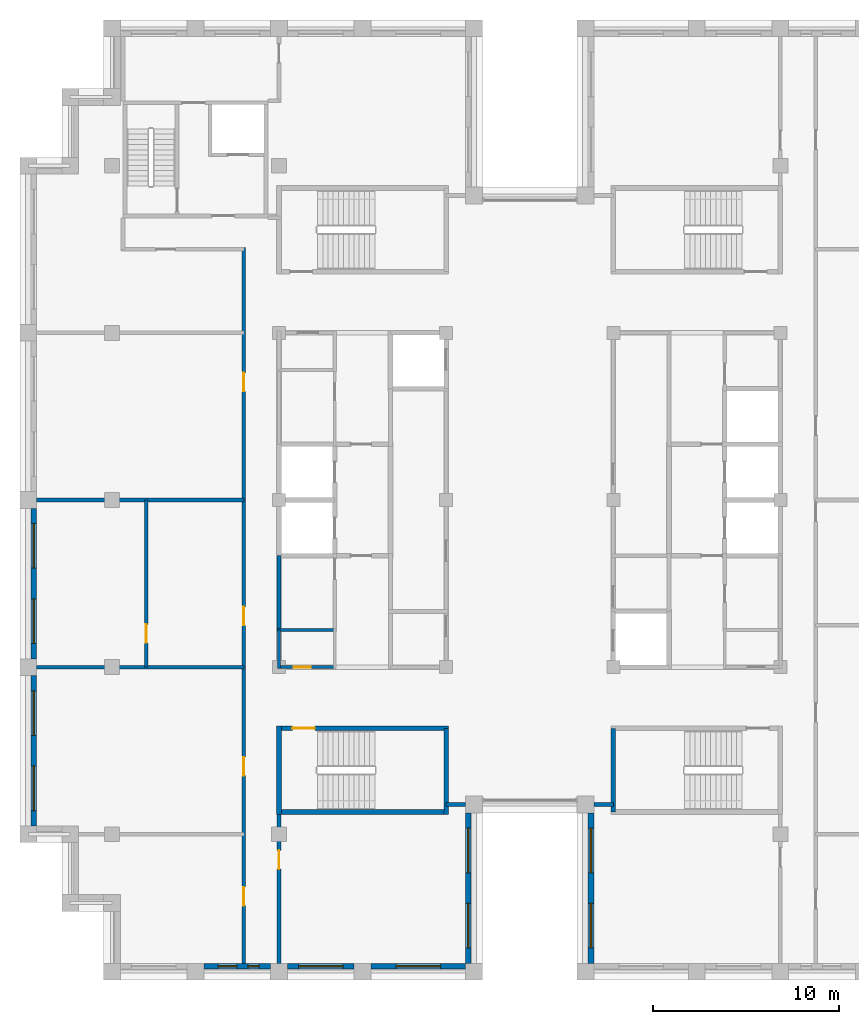
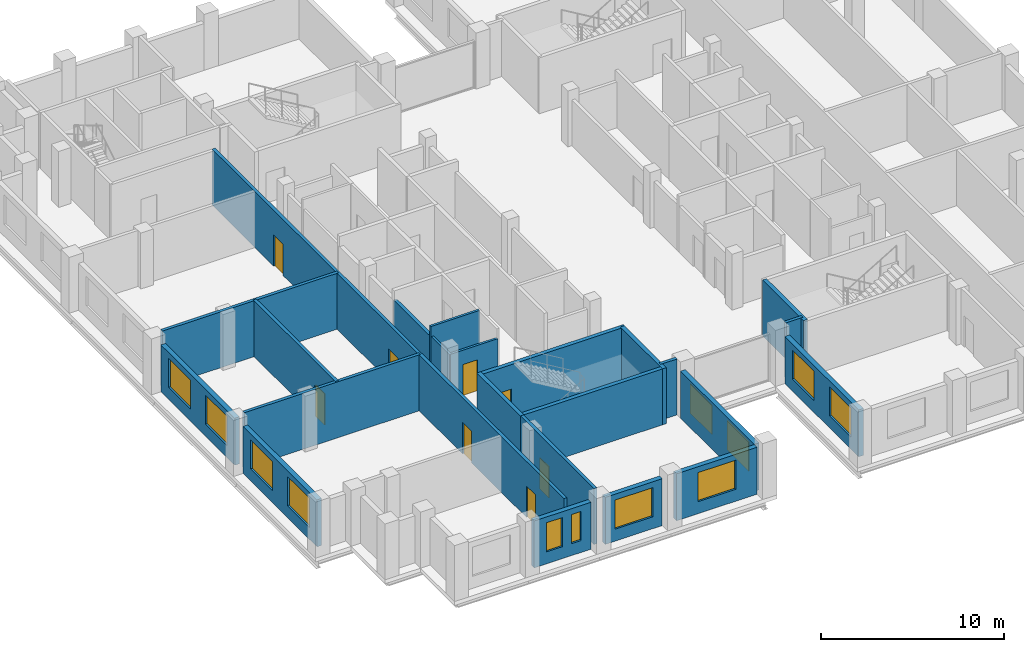
# One storey, part 6 of 13: 23 walls, 12 windows, 8 doors, 20 openings.
"""IFC4 building model written with IfcOpenShell, lengths in metres."""

from ifc_helpers import new_model, si_unit, direction, frame, frame_2d, origin, place, context, subcontext, project, spatial, rectangle, extrude, material, layer, layer_set, type_object, element, fill, save


model = new_model("IFC4")

# Units and contexts
model_context = context("Model", 3, precision=1e-05, world=origin(), true_north=direction((0.0, 1.0)))
body_context = subcontext(model_context, "Body", "Model", "MODEL_VIEW")
ifc_project = project(units=[si_unit("LENGTHUNIT", "METRE"), si_unit("AREAUNIT", "SQUARE_METRE"), si_unit("VOLUMEUNIT", "CUBIC_METRE"), si_unit("PLANEANGLEUNIT", "RADIAN"), si_unit("MASSUNIT", "GRAM", prefix="KILO")], contexts=[model_context])

# Site, building, storey
site_placement = place(None, origin())
site = spatial("IfcSite", under=ifc_project, at=site_placement, CompositionType="ELEMENT")
building_placement = place(site_placement, origin())
building = spatial("IfcBuilding", under=site, at=building_placement, Name="Corbelhall Arena Tower", CompositionType="ELEMENT")
storey_placement = place(building_placement, frame((0.0, 0.0, 334.0)))
storey = spatial("IfcBuildingStorey", under=building, at=storey_placement, Name="L73", CompositionType="ELEMENT", Elevation=334.0)

# Wall, openings, windows
ifc_material_1 = material(Name="Precast concrete C40/50 with granite facing", Category="masonry")
ifc_layer_1 = layer(ifc_material_1, 0.300048828125)
ifc_layer_set_1 = layer_set([ifc_layer_1], Name="EV-IW1 Infill panel 300")
wall_type_1 = type_object("IfcWallType", Name="EV-IW1 Infill panel 300", PredefinedType="SOLIDWALL", material=ifc_layer_set_1)
wall_1_placement = place(storey_placement, frame((-26.699951171875, -0.449951171875, 0.0), z_axis=(0.0, 0.0, 1.0), x_axis=(0.0, -1.0, 0.0)))
wall_1 = element("IfcWall", 1, at=wall_1_placement, inside=storey, type_object=wall_type_1, Name="Infill panel IW1", PredefinedType="SOLIDWALL", context=body_context, shape_type="SweptSolid", body=[
    extrude(rectangle(XDim=8.10009765625, YDim=0.300048828125, at=frame_2d((4.050048828125, 0.0))), origin(), (0.0, 0.0, 1.0), 3.139892578125),
])
opening_1_placement = place(wall_1_placement, frame((0.824951171875, 0.0, 0.800048828125)))
opening_1 = element("IfcOpeningElement", 2, at=opening_1_placement, cuts=wall_1, Name="Opening WN1", PredefinedType="OPENING", context=body_context, shape_type="SweptSolid", body=[
    extrude(rectangle(XDim=2.39990234375, YDim=1.949951171875, at=frame_2d((1.199951171875, 0.97509765625))), frame((0.0, 0.14990234375, 0.0), z_axis=(0.0, -1.0, 0.0), x_axis=(1.0, 0.0, 0.0)), (0.0, 0.0, 1.0), 0.300048828125),
])
opening_2_placement = place(wall_1_placement, frame((4.875, 0.0, 0.800048828125)))
opening_2 = element("IfcOpeningElement", 3, at=opening_2_placement, cuts=wall_1, Name="Opening WN1", PredefinedType="OPENING", context=body_context, shape_type="SweptSolid", body=[
    extrude(rectangle(XDim=2.39990234375, YDim=1.949951171875, at=frame_2d((1.199951171875, 0.97509765625))), frame((0.0, 0.14990234375, 0.0), z_axis=(0.0, -1.0, 0.0), x_axis=(1.0, 0.0, 0.0)), (0.0, 0.0, 1.0), 0.300048828125),
])
ifc_material_2 = material(Name="Aluminium black anodised", Category="aluminium")
window_type_1 = type_object("IfcWindowType", Name="EV-WN1 Office window", PartitioningType="SINGLE_PANEL", PredefinedType="WINDOW", material=ifc_material_2)
window_1_placement = place(opening_1_placement, origin())
window_1 = element("IfcWindow", 4, at=window_1_placement, inside=storey, type_object=window_type_1, Name="Window WN1", OverallHeight=1.949951171875, OverallWidth=2.39990234375, PartitioningType="SINGLE_PANEL", PredefinedType="WINDOW", context=body_context, shape_type="SweptSolid", body=[
    extrude(rectangle(XDim=2.39990234375, YDim=1.949951171875, at=frame_2d((1.199951171875, 0.97509765625))), frame((0.0, 0.030029296875, 0.0), z_axis=(0.0, -1.0, 0.0), x_axis=(1.0, 0.0, 0.0)), (0.0, 0.0, 1.0), 0.06005859375),
])
fill(opening_1, window_1)
window_2_placement = place(opening_2_placement, origin())
window_2 = element("IfcWindow", 5, at=window_2_placement, inside=storey, type_object=window_type_1, Name="Window WN1", OverallHeight=1.949951171875, OverallWidth=2.39990234375, PartitioningType="SINGLE_PANEL", PredefinedType="WINDOW", context=body_context, shape_type="SweptSolid", body=[
    extrude(rectangle(XDim=2.39990234375, YDim=1.949951171875, at=frame_2d((1.199951171875, 0.97509765625))), frame((0.0, 0.030029296875, 0.0), z_axis=(0.0, -1.0, 0.0), x_axis=(1.0, 0.0, 0.0)), (0.0, 0.0, 1.0), 0.06005859375),
])
fill(opening_2, window_2)

wall_2_placement = place(storey_placement, frame((-26.699951171875, -9.449951171875, 0.0), z_axis=(0.0, 0.0, 1.0), x_axis=(0.0, -1.0, 0.0)))
wall_2 = element("IfcWall", 6, at=wall_2_placement, inside=storey, type_object=wall_type_1, Name="Infill panel IW1", PredefinedType="SOLIDWALL", context=body_context, shape_type="SweptSolid", body=[
    extrude(rectangle(XDim=8.10009765625, YDim=0.300048828125, at=frame_2d((4.050048828125, 0.0))), origin(), (0.0, 0.0, 1.0), 3.139892578125),
])
opening_3_placement = place(wall_2_placement, frame((0.824951171875, 0.0, 0.800048828125)))
opening_3 = element("IfcOpeningElement", 7, at=opening_3_placement, cuts=wall_2, Name="Opening WN1", PredefinedType="OPENING", context=body_context, shape_type="SweptSolid", body=[
    extrude(rectangle(XDim=2.39990234375, YDim=1.949951171875, at=frame_2d((1.199951171875, 0.97509765625))), frame((0.0, 0.14990234375, 0.0), z_axis=(0.0, -1.0, 0.0), x_axis=(1.0, 0.0, 0.0)), (0.0, 0.0, 1.0), 0.300048828125),
])
opening_4_placement = place(wall_2_placement, frame((4.875, 0.0, 0.800048828125)))
opening_4 = element("IfcOpeningElement", 8, at=opening_4_placement, cuts=wall_2, Name="Opening WN1", PredefinedType="OPENING", context=body_context, shape_type="SweptSolid", body=[
    extrude(rectangle(XDim=2.39990234375, YDim=1.949951171875, at=frame_2d((1.199951171875, 0.97509765625))), frame((0.0, 0.14990234375, 0.0), z_axis=(0.0, -1.0, 0.0), x_axis=(1.0, 0.0, 0.0)), (0.0, 0.0, 1.0), 0.300048828125),
])
window_3_placement = place(opening_3_placement, origin())
window_3 = element("IfcWindow", 9, at=window_3_placement, inside=storey, type_object=window_type_1, Name="Window WN1", OverallHeight=1.949951171875, OverallWidth=2.39990234375, PartitioningType="SINGLE_PANEL", PredefinedType="WINDOW", context=body_context, shape_type="SweptSolid", body=[
    extrude(rectangle(XDim=2.39990234375, YDim=1.949951171875, at=frame_2d((1.199951171875, 0.97509765625))), frame((0.0, 0.030029296875, 0.0), z_axis=(0.0, -1.0, 0.0), x_axis=(1.0, 0.0, 0.0)), (0.0, 0.0, 1.0), 0.06005859375),
])
fill(opening_3, window_3)
window_4_placement = place(opening_4_placement, origin())
window_4 = element("IfcWindow", 10, at=window_4_placement, inside=storey, type_object=window_type_1, Name="Window WN1", OverallHeight=1.949951171875, OverallWidth=2.39990234375, PartitioningType="SINGLE_PANEL", PredefinedType="WINDOW", context=body_context, shape_type="SweptSolid", body=[
    extrude(rectangle(XDim=2.39990234375, YDim=1.949951171875, at=frame_2d((1.199951171875, 0.97509765625))), frame((0.0, 0.030029296875, 0.0), z_axis=(0.0, -1.0, 0.0), x_axis=(1.0, 0.0, 0.0)), (0.0, 0.0, 1.0), 0.06005859375),
])
fill(opening_4, window_4)

wall_3_placement = place(storey_placement, frame((-17.550048828125, -25.10009765625, 0.0), z_axis=(0.0, 0.0, 1.0), x_axis=(1.0, 0.0, 0.0)))
wall_3 = element("IfcWall", 11, at=wall_3_placement, inside=storey, type_object=wall_type_1, Name="Infill panel IW1", PredefinedType="SOLIDWALL", context=body_context, shape_type="SweptSolid", body=[
    extrude(rectangle(XDim=3.60009765625, YDim=0.300048828125, at=frame_2d((1.800048828125, 0.0))), origin(), (0.0, 0.0, 1.0), 3.139892578125),
])
opening_5_placement = place(wall_3_placement, frame((0.77490234375, 0.0, 0.800048828125)))
opening_5 = element("IfcOpeningElement", 12, at=opening_5_placement, cuts=wall_3, Name="Opening WN6", PredefinedType="OPENING", context=body_context, shape_type="SweptSolid", body=[
    extrude(rectangle(XDim=1.0, YDim=1.949951171875, at=frame_2d((0.5, 0.97509765625))), frame((0.0, 0.14990234375, 0.0), z_axis=(0.0, -1.0, 0.0), x_axis=(1.0, 0.0, 0.0)), (0.0, 0.0, 1.0), 0.300048828125),
])
opening_6_placement = place(wall_3_placement, frame((2.375, 0.0, 0.800048828125)))
opening_6 = element("IfcOpeningElement", 13, at=opening_6_placement, cuts=wall_3, Name="Opening WN5", PredefinedType="OPENING", context=body_context, shape_type="SweptSolid", body=[
    extrude(rectangle(XDim=0.60009765625, YDim=1.949951171875, at=frame_2d((0.300048828125, 0.97509765625))), frame((0.0, 0.14990234375, 0.0), z_axis=(0.0, -1.0, 0.0), x_axis=(1.0, 0.0, 0.0)), (0.0, 0.0, 1.0), 0.300048828125),
])
window_type_2 = type_object("IfcWindowType", Name="EV-WN5 Office window 600", PartitioningType="SINGLE_PANEL", PredefinedType="WINDOW", material=ifc_material_2)
window_5_placement = place(opening_6_placement, origin())
window_5 = element("IfcWindow", 14, at=window_5_placement, inside=storey, type_object=window_type_2, Name="Window WN5", OverallHeight=1.949951171875, OverallWidth=0.60009765625, PartitioningType="SINGLE_PANEL", PredefinedType="WINDOW", context=body_context, shape_type="SweptSolid", body=[
    extrude(rectangle(XDim=0.60009765625, YDim=1.949951171875, at=frame_2d((0.300048828125, 0.97509765625))), frame((0.0, 0.030029296875, 0.0), z_axis=(0.0, -1.0, 0.0), x_axis=(1.0, 0.0, 0.0)), (0.0, 0.0, 1.0), 0.06005859375),
])
fill(opening_6, window_5)
window_type_3 = type_object("IfcWindowType", Name="EV-WN6 Office window 1000", PartitioningType="SINGLE_PANEL", PredefinedType="WINDOW", material=ifc_material_2)
window_6_placement = place(opening_5_placement, origin())
window_6 = element("IfcWindow", 15, at=window_6_placement, inside=storey, type_object=window_type_3, Name="Window WN6", OverallHeight=1.949951171875, OverallWidth=1.0, PartitioningType="SINGLE_PANEL", PredefinedType="WINDOW", context=body_context, shape_type="SweptSolid", body=[
    extrude(rectangle(XDim=1.0, YDim=1.949951171875, at=frame_2d((0.5, 0.97509765625))), frame((0.0, 0.030029296875, 0.0), z_axis=(0.0, -1.0, 0.0), x_axis=(1.0, 0.0, 0.0)), (0.0, 0.0, 1.0), 0.06005859375),
])
fill(opening_5, window_6)

# Wall, opening, window
wall_4_placement = place(storey_placement, frame((-13.050048828125, -25.10009765625, 0.0), z_axis=(0.0, 0.0, 1.0), x_axis=(1.0, 0.0, 0.0)))
wall_4 = element("IfcWall", 16, at=wall_4_placement, inside=storey, type_object=wall_type_1, Name="Infill panel IW1", PredefinedType="SOLIDWALL", context=body_context, shape_type="SweptSolid", body=[
    extrude(rectangle(XDim=3.60009765625, YDim=0.300048828125, at=frame_2d((1.800048828125, 0.0))), origin(), (0.0, 0.0, 1.0), 3.139892578125),
])
opening_7_placement = place(wall_4_placement, frame((0.60009765625, 0.0, 0.800048828125)))
opening_7 = element("IfcOpeningElement", 17, at=opening_7_placement, cuts=wall_4, Name="Opening WN1", PredefinedType="OPENING", context=body_context, shape_type="SweptSolid", body=[
    extrude(rectangle(XDim=2.39990234375, YDim=1.949951171875, at=frame_2d((1.199951171875, 0.97509765625))), frame((0.0, 0.14990234375, 0.0), z_axis=(0.0, -1.0, 0.0), x_axis=(1.0, 0.0, 0.0)), (0.0, 0.0, 1.0), 0.300048828125),
])
window_7_placement = place(opening_7_placement, origin())
window_7 = element("IfcWindow", 18, at=window_7_placement, inside=storey, type_object=window_type_1, Name="Window WN1", OverallHeight=1.949951171875, OverallWidth=2.39990234375, PartitioningType="SINGLE_PANEL", PredefinedType="WINDOW", context=body_context, shape_type="SweptSolid", body=[
    extrude(rectangle(XDim=2.39990234375, YDim=1.949951171875, at=frame_2d((1.199951171875, 0.97509765625))), frame((0.0, 0.030029296875, 0.0), z_axis=(0.0, -1.0, 0.0), x_axis=(1.0, 0.0, 0.0)), (0.0, 0.0, 1.0), 0.06005859375),
])
fill(opening_7, window_7)

wall_5_placement = place(storey_placement, frame((-8.550048828125, -25.10009765625, 0.0), z_axis=(0.0, 0.0, 1.0), x_axis=(1.0, 0.0, 0.0)))
wall_5 = element("IfcWall", 19, at=wall_5_placement, inside=storey, type_object=wall_type_1, Name="Infill panel IW1", PredefinedType="SOLIDWALL", context=body_context, shape_type="SweptSolid", body=[
    extrude(rectangle(XDim=5.10009765625, YDim=0.300048828125, at=frame_2d((2.550048828125, 0.0))), origin(), (0.0, 0.0, 1.0), 3.139892578125),
])
opening_8_placement = place(wall_5_placement, frame((1.35009765625, 0.0, 0.800048828125)))
opening_8 = element("IfcOpeningElement", 20, at=opening_8_placement, cuts=wall_5, Name="Opening WN1", PredefinedType="OPENING", context=body_context, shape_type="SweptSolid", body=[
    extrude(rectangle(XDim=2.39990234375, YDim=1.949951171875, at=frame_2d((1.199951171875, 0.97509765625))), frame((0.0, 0.14990234375, 0.0), z_axis=(0.0, -1.0, 0.0), x_axis=(1.0, 0.0, 0.0)), (0.0, 0.0, 1.0), 0.300048828125),
])
window_8_placement = place(opening_8_placement, origin())
window_8 = element("IfcWindow", 21, at=window_8_placement, inside=storey, type_object=window_type_1, Name="Window WN1", OverallHeight=1.949951171875, OverallWidth=2.39990234375, PartitioningType="SINGLE_PANEL", PredefinedType="WINDOW", context=body_context, shape_type="SweptSolid", body=[
    extrude(rectangle(XDim=2.39990234375, YDim=1.949951171875, at=frame_2d((1.199951171875, 0.97509765625))), frame((0.0, 0.030029296875, 0.0), z_axis=(0.0, -1.0, 0.0), x_axis=(1.0, 0.0, 0.0)), (0.0, 0.0, 1.0), 0.06005859375),
])
fill(opening_8, window_8)

# Wall, openings, windows
wall_6_placement = place(storey_placement, frame((-3.300048828125, -24.949951171875, 0.0), z_axis=(0.0, 0.0, 1.0), x_axis=(0.0, 1.0, 0.0)))
wall_6 = element("IfcWall", 22, at=wall_6_placement, inside=storey, type_object=wall_type_1, Name="Infill panel IW1", PredefinedType="SOLIDWALL", context=body_context, shape_type="SweptSolid", body=[
    extrude(rectangle(XDim=8.099853515625, YDim=0.300048828125, at=frame_2d((4.0498046875, 0.0))), origin(), (0.0, 0.0, 1.0), 3.139892578125),
])
opening_9_placement = place(wall_6_placement, frame((0.824951171875, 0.0, 0.800048828125)))
opening_9 = element("IfcOpeningElement", 23, at=opening_9_placement, cuts=wall_6, Name="Opening WN1", PredefinedType="OPENING", context=body_context, shape_type="SweptSolid", body=[
    extrude(rectangle(XDim=2.39990234375, YDim=1.949951171875, at=frame_2d((1.199951171875, 0.97509765625))), frame((0.0, 0.14990234375, 0.0), z_axis=(0.0, -1.0, 0.0), x_axis=(1.0, 0.0, 0.0)), (0.0, 0.0, 1.0), 0.300048828125),
])
opening_10_placement = place(wall_6_placement, frame((4.875, 0.0, 0.800048828125)))
opening_10 = element("IfcOpeningElement", 24, at=opening_10_placement, cuts=wall_6, Name="Opening WN1", PredefinedType="OPENING", context=body_context, shape_type="SweptSolid", body=[
    extrude(rectangle(XDim=2.39990234375, YDim=1.949951171875, at=frame_2d((1.199951171875, 0.97509765625))), frame((0.0, 0.14990234375, 0.0), z_axis=(0.0, -1.0, 0.0), x_axis=(1.0, 0.0, 0.0)), (0.0, 0.0, 1.0), 0.300048828125),
])
window_9_placement = place(opening_9_placement, origin())
window_9 = element("IfcWindow", 25, at=window_9_placement, inside=storey, type_object=window_type_1, Name="Window WN1", OverallHeight=1.949951171875, OverallWidth=2.39990234375, PartitioningType="SINGLE_PANEL", PredefinedType="WINDOW", context=body_context, shape_type="SweptSolid", body=[
    extrude(rectangle(XDim=2.39990234375, YDim=1.949951171875, at=frame_2d((1.199951171875, 0.97509765625))), frame((0.0, 0.030029296875, 0.0), z_axis=(0.0, -1.0, 0.0), x_axis=(1.0, 0.0, 0.0)), (0.0, 0.0, 1.0), 0.06005859375),
])
fill(opening_9, window_9)
window_10_placement = place(opening_10_placement, origin())
window_10 = element("IfcWindow", 26, at=window_10_placement, inside=storey, type_object=window_type_1, Name="Window WN1", OverallHeight=1.949951171875, OverallWidth=2.39990234375, PartitioningType="SINGLE_PANEL", PredefinedType="WINDOW", context=body_context, shape_type="SweptSolid", body=[
    extrude(rectangle(XDim=2.39990234375, YDim=1.949951171875, at=frame_2d((1.199951171875, 0.97509765625))), frame((0.0, 0.030029296875, 0.0), z_axis=(0.0, -1.0, 0.0), x_axis=(1.0, 0.0, 0.0)), (0.0, 0.0, 1.0), 0.06005859375),
])
fill(opening_10, window_10)

wall_7_placement = place(storey_placement, frame((3.300048828125, -16.85009765625, 0.0), z_axis=(0.0, 0.0, 1.0), x_axis=(0.0, -1.0, 0.0)))
wall_7 = element("IfcWall", 27, at=wall_7_placement, inside=storey, type_object=wall_type_1, Name="Infill panel IW1", PredefinedType="SOLIDWALL", context=body_context, shape_type="SweptSolid", body=[
    extrude(rectangle(XDim=8.099853515625, YDim=0.300048828125, at=frame_2d((4.0498046875, 0.0))), origin(), (0.0, 0.0, 1.0), 3.139892578125),
])
opening_11_placement = place(wall_7_placement, frame((0.824951171875, 0.0, 0.800048828125)))
opening_11 = element("IfcOpeningElement", 28, at=opening_11_placement, cuts=wall_7, Name="Opening WN1", PredefinedType="OPENING", context=body_context, shape_type="SweptSolid", body=[
    extrude(rectangle(XDim=2.39990234375, YDim=1.949951171875, at=frame_2d((1.199951171875, 0.97509765625))), frame((0.0, 0.14990234375, 0.0), z_axis=(0.0, -1.0, 0.0), x_axis=(1.0, 0.0, 0.0)), (0.0, 0.0, 1.0), 0.300048828125),
])
opening_12_placement = place(wall_7_placement, frame((4.875, 0.0, 0.800048828125)))
opening_12 = element("IfcOpeningElement", 29, at=opening_12_placement, cuts=wall_7, Name="Opening WN1", PredefinedType="OPENING", context=body_context, shape_type="SweptSolid", body=[
    extrude(rectangle(XDim=2.39990234375, YDim=1.949951171875, at=frame_2d((1.199951171875, 0.97509765625))), frame((0.0, 0.14990234375, 0.0), z_axis=(0.0, -1.0, 0.0), x_axis=(1.0, 0.0, 0.0)), (0.0, 0.0, 1.0), 0.300048828125),
])
window_11_placement = place(opening_11_placement, origin())
window_11 = element("IfcWindow", 30, at=window_11_placement, inside=storey, type_object=window_type_1, Name="Window WN1", OverallHeight=1.949951171875, OverallWidth=2.39990234375, PartitioningType="SINGLE_PANEL", PredefinedType="WINDOW", context=body_context, shape_type="SweptSolid", body=[
    extrude(rectangle(XDim=2.39990234375, YDim=1.949951171875, at=frame_2d((1.199951171875, 0.97509765625))), frame((0.0, 0.030029296875, 0.0), z_axis=(0.0, -1.0, 0.0), x_axis=(1.0, 0.0, 0.0)), (0.0, 0.0, 1.0), 0.06005859375),
])
fill(opening_11, window_11)
window_12_placement = place(opening_12_placement, origin())
window_12 = element("IfcWindow", 31, at=window_12_placement, inside=storey, type_object=window_type_1, Name="Window WN1", OverallHeight=1.949951171875, OverallWidth=2.39990234375, PartitioningType="SINGLE_PANEL", PredefinedType="WINDOW", context=body_context, shape_type="SweptSolid", body=[
    extrude(rectangle(XDim=2.39990234375, YDim=1.949951171875, at=frame_2d((1.199951171875, 0.97509765625))), frame((0.0, 0.030029296875, 0.0), z_axis=(0.0, -1.0, 0.0), x_axis=(1.0, 0.0, 0.0)), (0.0, 0.0, 1.0), 0.06005859375),
])
fill(opening_12, window_12)

# Wall
ifc_material_3 = material(Name="Gypsum board on steel stud, acoustic", Category="steel")
ifc_layer_2 = layer(ifc_material_3, 0.199951171875)
ifc_layer_set_2 = layer_set([ifc_layer_2], Name="IN-W-DM200")
wall_type_2 = type_object("IfcWallType", Name="IN-W-DM200", PredefinedType="PARTITIONING", material=ifc_layer_set_2)
wall_8_placement = place(storey_placement, frame((-26.550048828125, -9.0, 0.0), z_axis=(0.0, 0.0, 1.0), x_axis=(1.0, 0.0, 0.0)))
element("IfcWall", 32, at=wall_8_placement, inside=storey, type_object=wall_type_2, Name="Partition 001", PredefinedType="PARTITIONING", context=body_context, shape_type="SweptSolid", body=[
    extrude(rectangle(XDim=11.150146484375, YDim=0.199951171875, at=frame_2d((5.5751953125, 0.0))), origin(), (0.0, 0.0, 1.0), 3.739990234375),
])

# Wall, opening, door
wall_9_placement = place(storey_placement, frame((-20.64990234375, -9.0, 0.0), z_axis=(0.0, 0.0, 1.0), x_axis=(0.0, 1.0, 0.0)))
wall_9 = element("IfcWall", 33, at=wall_9_placement, inside=storey, type_object=wall_type_2, Name="Partition 006", PredefinedType="PARTITIONING", context=body_context, shape_type="SweptSolid", body=[
    extrude(rectangle(XDim=9.0, YDim=0.199951171875, at=frame_2d((4.5, 0.0))), origin(), (0.0, 0.0, 1.0), 3.739990234375),
])
opening_13_placement = place(wall_9_placement, frame((1.300048828125, 0.0, 0.0)))
opening_13 = element("IfcOpeningElement", 34, at=opening_13_placement, cuts=wall_9, Name="Opening 23028", PredefinedType="OPENING", context=body_context, shape_type="SweptSolid", body=[
    extrude(rectangle(XDim=1.0, YDim=2.10009765625, at=frame_2d((0.5, 1.050048828125))), frame((0.0, 0.10009765625, 0.0), z_axis=(0.0, -1.0, 0.0), x_axis=(1.0, 0.0, 0.0)), (0.0, 0.0, 1.0), 0.199951171875),
])
ifc_material_4 = material(Name="Steel door set", Category="steel")
door_type_1 = type_object("IfcDoorType", Name="IN-D-SW100", OperationType="NOTDEFINED", PredefinedType="DOOR", material=ifc_material_4)
door_1_placement = place(opening_13_placement, origin())
door_1 = element("IfcDoor", 35, at=door_1_placement, inside=storey, type_object=door_type_1, Name="Door 028", OperationType="SINGLE_SWING_LEFT", OverallHeight=2.10009765625, OverallWidth=1.0, PredefinedType="DOOR", context=body_context, shape_type="SweptSolid", body=[
    extrude(rectangle(XDim=1.0, YDim=2.10009765625, at=frame_2d((0.5, 1.050048828125))), frame((0.0, 0.02490234375, 0.0), z_axis=(0.0, -1.0, 0.0), x_axis=(1.0, 0.0, 0.0)), (0.0, 0.0, 1.0), 0.050048828125),
])
fill(opening_13, door_1)

# Wall
wall_10_placement = place(storey_placement, frame((-15.39990234375, 0.0, 0.0), z_axis=(0.0, 0.0, 1.0), x_axis=(-1.0, 0.0, 0.0)))
element("IfcWall", 36, at=wall_10_placement, inside=storey, type_object=wall_type_2, Name="Partition 007", PredefinedType="PARTITIONING", context=body_context, shape_type="SweptSolid", body=[
    extrude(rectangle(XDim=11.150146484375, YDim=0.199951171875, at=frame_2d((5.5751953125, 0.0))), origin(), (0.0, 0.0, 1.0), 3.739990234375),
])

# Wall, openings, doors
wall_11_placement = place(storey_placement, frame((-15.39990234375, -24.949951171875, 0.0), z_axis=(0.0, 0.0, 1.0), x_axis=(0.0, 1.0, 0.0)))
wall_11 = element("IfcWall", 37, at=wall_11_placement, inside=storey, type_object=wall_type_2, Name="Partition 008", PredefinedType="PARTITIONING", context=body_context, shape_type="SweptSolid", body=[
    extrude(rectangle(XDim=38.550048828125, YDim=0.199951171875, at=frame_2d((19.27490234375, 0.0))), origin(), (0.0, 0.0, 1.0), 3.739990234375),
])
opening_14_placement = place(wall_11_placement, frame((30.800048828125, 0.0, 0.0)))
opening_14 = element("IfcOpeningElement", 38, at=opening_14_placement, cuts=wall_11, Name="Opening 23023", PredefinedType="OPENING", context=body_context, shape_type="SweptSolid", body=[
    extrude(rectangle(XDim=1.0, YDim=2.10009765625, at=frame_2d((0.5, 1.050048828125))), frame((0.0, 0.10009765625, 0.0), z_axis=(0.0, -1.0, 0.0), x_axis=(1.0, 0.0, 0.0)), (0.0, 0.0, 1.0), 0.199951171875),
])
opening_15_placement = place(wall_11_placement, frame((3.10009765625, 0.0, 0.0)))
opening_15 = element("IfcOpeningElement", 39, at=opening_15_placement, cuts=wall_11, Name="Opening 23025", PredefinedType="OPENING", context=body_context, shape_type="SweptSolid", body=[
    extrude(rectangle(XDim=1.0, YDim=2.10009765625, at=frame_2d((0.5, 1.050048828125))), frame((0.0, 0.10009765625, 0.0), z_axis=(0.0, -1.0, 0.0), x_axis=(1.0, 0.0, 0.0)), (0.0, 0.0, 1.0), 0.199951171875),
])
opening_16_placement = place(wall_11_placement, frame((10.10009765625, 0.0, 0.0)))
opening_16 = element("IfcOpeningElement", 40, at=opening_16_placement, cuts=wall_11, Name="Opening 23026", PredefinedType="OPENING", context=body_context, shape_type="SweptSolid", body=[
    extrude(rectangle(XDim=1.0, YDim=2.10009765625, at=frame_2d((0.5, 1.050048828125))), frame((0.0, 0.10009765625, 0.0), z_axis=(0.0, -1.0, 0.0), x_axis=(1.0, 0.0, 0.0)), (0.0, 0.0, 1.0), 0.199951171875),
])
opening_17_placement = place(wall_11_placement, frame((18.199951171875, 0.0, 0.0)))
opening_17 = element("IfcOpeningElement", 41, at=opening_17_placement, cuts=wall_11, Name="Opening 23027", PredefinedType="OPENING", context=body_context, shape_type="SweptSolid", body=[
    extrude(rectangle(XDim=1.0, YDim=2.10009765625, at=frame_2d((0.5, 1.050048828125))), frame((0.0, 0.10009765625, 0.0), z_axis=(0.0, -1.0, 0.0), x_axis=(1.0, 0.0, 0.0)), (0.0, 0.0, 1.0), 0.199951171875),
])
door_2_placement = place(opening_14_placement, origin())
door_2 = element("IfcDoor", 42, at=door_2_placement, inside=storey, type_object=door_type_1, Name="Door 023", OperationType="SINGLE_SWING_RIGHT", OverallHeight=2.10009765625, OverallWidth=1.0, PredefinedType="DOOR", context=body_context, shape_type="SweptSolid", body=[
    extrude(rectangle(XDim=1.0, YDim=2.10009765625, at=frame_2d((0.5, 1.050048828125))), frame((0.0, 0.02490234375, 0.0), z_axis=(0.0, -1.0, 0.0), x_axis=(1.0, 0.0, 0.0)), (0.0, 0.0, 1.0), 0.050048828125),
])
fill(opening_14, door_2)
door_3_placement = place(opening_15_placement, origin())
door_3 = element("IfcDoor", 43, at=door_3_placement, inside=storey, type_object=door_type_1, Name="Door 025", OperationType="SINGLE_SWING_RIGHT", OverallHeight=2.10009765625, OverallWidth=1.0, PredefinedType="DOOR", context=body_context, shape_type="SweptSolid", body=[
    extrude(rectangle(XDim=1.0, YDim=2.10009765625, at=frame_2d((0.5, 1.050048828125))), frame((0.0, 0.02490234375, 0.0), z_axis=(0.0, -1.0, 0.0), x_axis=(1.0, 0.0, 0.0)), (0.0, 0.0, 1.0), 0.050048828125),
])
fill(opening_15, door_3)
door_4_placement = place(opening_16_placement, origin())
door_4 = element("IfcDoor", 44, at=door_4_placement, inside=storey, type_object=door_type_1, Name="Door 026", OperationType="SINGLE_SWING_LEFT", OverallHeight=2.10009765625, OverallWidth=1.0, PredefinedType="DOOR", context=body_context, shape_type="SweptSolid", body=[
    extrude(rectangle(XDim=1.0, YDim=2.10009765625, at=frame_2d((0.5, 1.050048828125))), frame((0.0, 0.02490234375, 0.0), z_axis=(0.0, -1.0, 0.0), x_axis=(1.0, 0.0, 0.0)), (0.0, 0.0, 1.0), 0.050048828125),
])
fill(opening_16, door_4)
door_5_placement = place(opening_17_placement, origin())
door_5 = element("IfcDoor", 45, at=door_5_placement, inside=storey, type_object=door_type_1, Name="Door 027", OperationType="SINGLE_SWING_RIGHT", OverallHeight=2.10009765625, OverallWidth=1.0, PredefinedType="DOOR", context=body_context, shape_type="SweptSolid", body=[
    extrude(rectangle(XDim=1.0, YDim=2.10009765625, at=frame_2d((0.5, 1.050048828125))), frame((0.0, 0.02490234375, 0.0), z_axis=(0.0, -1.0, 0.0), x_axis=(1.0, 0.0, 0.0)), (0.0, 0.0, 1.0), 0.050048828125),
])
fill(opening_17, door_5)

# Wall, opening, door
wall_12_placement = place(storey_placement, frame((-13.5, -16.675048828125, 0.0), z_axis=(0.0, 0.0, 1.0), x_axis=(0.0, -1.0, 0.0)))
wall_12 = element("IfcWall", 46, at=wall_12_placement, inside=storey, type_object=wall_type_2, Name="Partition 011", PredefinedType="PARTITIONING", context=body_context, shape_type="SweptSolid", body=[
    extrude(rectangle(XDim=8.27490234375, YDim=0.199951171875, at=frame_2d((4.137451171875, 0.0))), origin(), (0.0, 0.0, 1.0), 3.739990234375),
])
opening_18_placement = place(wall_12_placement, frame((2.199951171875, 0.0, 0.0)))
opening_18 = element("IfcOpeningElement", 47, at=opening_18_placement, cuts=wall_12, Name="Opening 23021", PredefinedType="OPENING", context=body_context, shape_type="SweptSolid", body=[
    extrude(rectangle(XDim=1.0, YDim=2.10009765625, at=frame_2d((0.5, 1.050048828125))), frame((0.0, 0.10009765625, 0.0), z_axis=(0.0, -1.0, 0.0), x_axis=(1.0, 0.0, 0.0)), (0.0, 0.0, 1.0), 0.199951171875),
])
door_6_placement = place(opening_18_placement, origin())
door_6 = element("IfcDoor", 48, at=door_6_placement, inside=storey, type_object=door_type_1, Name="Door 021", OperationType="SINGLE_SWING_RIGHT", OverallHeight=2.10009765625, OverallWidth=1.0, PredefinedType="DOOR", context=body_context, shape_type="SweptSolid", body=[
    extrude(rectangle(XDim=1.0, YDim=2.10009765625, at=frame_2d((0.5, 1.050048828125))), frame((0.0, 0.02490234375, 0.0), z_axis=(0.0, -1.0, 0.0), x_axis=(1.0, 0.0, 0.0)), (0.0, 0.0, 1.0), 0.050048828125),
])
fill(opening_18, door_6)

# Walls
for number, where, z_axis, x_axis, name in (
    (49, (-3.449951171875, -16.39990234375, 0.0), (0.0, 0.0, 1.0), (-1.0, 0.0, 0.0), "Partition 015"),
    (50, (4.5, -16.39990234375, 0.0), (0.0, 0.0, 1.0), (-1.0, 0.0, 0.0), "Partition 017"),
):
    element("IfcWall", number, at=place(storey_placement, frame(where, z_axis=z_axis, x_axis=x_axis)), inside=storey, type_object=wall_type_2, Name=name, PredefinedType="PARTITIONING", context=body_context, shape_type="SweptSolid", body=[
        extrude(rectangle(XDim=1.050048828125, YDim=0.199951171875, at=frame_2d((0.52490234375, 0.0))), origin(), (0.0, 0.0, 1.0), 3.739990234375),
    ])
ifc_material_5 = material(Name="Concrete block wall", Category="concrete")
ifc_layer_3 = layer(ifc_material_5, 0.199951171875)
ifc_layer_set_3 = layer_set([ifc_layer_3], Name="IN-W-RS200 under beam 678 mm")
wall_type_3 = type_object("IfcWallType", Name="IN-W-RS200 under beam 678 mm", PredefinedType="SOLIDWALL", material=ifc_layer_set_3)
wall_13_placement = place(storey_placement, frame((-13.5, -7.0, 0.0), z_axis=(0.0, 0.0, 1.0), x_axis=(0.0, 1.0, 0.0)))
element("IfcWall", 51, at=wall_13_placement, inside=storey, type_object=wall_type_3, Name="Partition 027", PredefinedType="SOLIDWALL", context=body_context, shape_type="SweptSolid", body=[
    extrude(rectangle(XDim=4.0, YDim=0.199951171875, at=frame_2d((2.0, 0.0))), origin(), (0.0, 0.0, 1.0), 3.061767578125),
])
ifc_material_6 = material(Name="Concrete C40/50", Category="concrete")
ifc_layer_4 = layer(ifc_material_6, 0.25)
ifc_layer_set_4 = layer_set([ifc_layer_4], Name="IN-W-ST250")
wall_type_4 = type_object("IfcWallType", Name="IN-W-ST250", PredefinedType="SOLIDWALL", material=ifc_layer_set_4)
wall_14_placement = place(storey_placement, frame((-13.5, -12.175048828125, 0.0), z_axis=(0.0, 0.0, 1.0), x_axis=(0.0, -1.0, 0.0)))
element("IfcWall", 52, at=wall_14_placement, inside=storey, type_object=wall_type_4, Name="Shaft wall 068", PredefinedType="SOLIDWALL", context=body_context, shape_type="SweptSolid", body=[
    extrude(rectangle(XDim=4.75, YDim=0.25, at=frame_2d((2.375, 0.0))), origin(), (0.0, 0.0, 1.0), 3.739990234375),
])
wall_15_placement = place(storey_placement, frame((-4.5, -16.800048828125, 0.0), z_axis=(0.0, 0.0, 1.0), x_axis=(-1.0, 0.0, 0.0)))
element("IfcWall", 53, at=wall_15_placement, inside=storey, type_object=wall_type_4, Name="Shaft wall 072", PredefinedType="SOLIDWALL", context=body_context, shape_type="SweptSolid", body=[
    extrude(rectangle(XDim=9.0, YDim=0.25, at=frame_2d((4.5, 0.0))), origin(), (0.0, 0.0, 1.0), 3.739990234375),
])
wall_16_placement = place(storey_placement, frame((-4.5, -12.300048828125, 0.0), z_axis=(0.0, 0.0, 1.0), x_axis=(0.0, -1.0, 0.0)))
element("IfcWall", 54, at=wall_16_placement, inside=storey, type_object=wall_type_4, Name="Shaft wall 073", PredefinedType="SOLIDWALL", context=body_context, shape_type="SweptSolid", body=[
    extrude(rectangle(XDim=4.625, YDim=0.25, at=frame_2d((2.3125, 0.0))), origin(), (0.0, 0.0, 1.0), 3.739990234375),
])

# Wall, opening, door
wall_17_placement = place(storey_placement, frame((-4.375, -12.300048828125, 0.0), z_axis=(0.0, 0.0, 1.0), x_axis=(-1.0, 0.0, 0.0)))
wall_17 = element("IfcWall", 55, at=wall_17_placement, inside=storey, type_object=wall_type_4, Name="Shaft wall 075", PredefinedType="SOLIDWALL", context=body_context, shape_type="SweptSolid", body=[
    extrude(rectangle(XDim=9.125, YDim=0.25, at=frame_2d((4.5625, 0.0))), origin(), (0.0, 0.0, 1.0), 3.739990234375),
])
opening_19_placement = place(wall_17_placement, frame((7.199951171875, 0.0, 0.0)))
opening_19 = element("IfcOpeningElement", 56, at=opening_19_placement, cuts=wall_17, Name="Opening 23016", PredefinedType="OPENING", context=body_context, shape_type="SweptSolid", body=[
    extrude(rectangle(XDim=1.199951171875, YDim=2.10009765625, at=frame_2d((0.60009765625, 1.050048828125))), frame((0.0, 0.125, 0.0), z_axis=(0.0, -1.0, 0.0), x_axis=(1.0, 0.0, 0.0)), (0.0, 0.0, 1.0), 0.25),
])
door_type_2 = type_object("IfcDoorType", Name="IN-D-ST120", OperationType="NOTDEFINED", PredefinedType="DOOR", material=ifc_material_4)
door_7_placement = place(opening_19_placement, origin())
door_7 = element("IfcDoor", 57, at=door_7_placement, inside=storey, type_object=door_type_2, Name="Door 016", OperationType="SINGLE_SWING_LEFT", OverallHeight=2.10009765625, OverallWidth=1.199951171875, PredefinedType="DOOR", context=body_context, shape_type="SweptSolid", body=[
    extrude(rectangle(XDim=1.199951171875, YDim=2.10009765625, at=frame_2d((0.60009765625, 1.050048828125))), frame((0.0, 0.02490234375, 0.0), z_axis=(0.0, -1.0, 0.0), x_axis=(1.0, 0.0, 0.0)), (0.0, 0.0, 1.0), 0.050048828125),
])
fill(opening_19, door_7)

# Walls
wall_18_placement = place(storey_placement, frame((4.5, -16.800048828125, 0.0), z_axis=(0.0, 0.0, 1.0), x_axis=(0.0, 1.0, 0.0)))
element("IfcWall", 58, at=wall_18_placement, inside=storey, type_object=wall_type_4, Name="Shaft wall 078", PredefinedType="SOLIDWALL", context=body_context, shape_type="SweptSolid", body=[
    extrude(rectangle(XDim=4.5, YDim=0.25, at=frame_2d((2.25, 0.0))), origin(), (0.0, 0.0, 1.0), 3.739990234375),
])
ifc_material_7 = material(Name="Gypsum board on steel stud, moisture resistant", Category="steel")
ifc_layer_5 = layer(ifc_material_7, 0.14990234375)
ifc_layer_set_5 = layer_set([ifc_layer_5], Name="IN-W-WC150")
wall_type_5 = type_object("IfcWallType", Name="IN-W-WC150", PredefinedType="PARTITIONING", material=ifc_layer_set_5)
wall_19_placement = place(storey_placement, frame((-13.60009765625, -7.0, 0.0), z_axis=(0.0, 0.0, 1.0), x_axis=(1.0, 0.0, 0.0)))
element("IfcWall", 59, at=wall_19_placement, inside=storey, type_object=wall_type_5, Name="Partition 084", PredefinedType="PARTITIONING", context=body_context, shape_type="SweptSolid", body=[
    extrude(rectangle(XDim=3.10009765625, YDim=0.14990234375, at=frame_2d((1.550048828125, 0.0))), origin(), (0.0, 0.0, 1.0), 3.739990234375),
])
ifc_layer_6 = layer(ifc_material_7, 0.14990234375)
ifc_layer_set_6 = layer_set([ifc_layer_6], Name="IN-W-WC150 under beam 678 mm")
wall_type_6 = type_object("IfcWallType", Name="IN-W-WC150 under beam 678 mm", PredefinedType="PARTITIONING", material=ifc_layer_set_6)
wall_20_placement = place(storey_placement, frame((-13.5, -9.074951171875, 0.0), z_axis=(0.0, 0.0, 1.0), x_axis=(0.0, 1.0, 0.0)))
element("IfcWall", 60, at=wall_20_placement, inside=storey, type_object=wall_type_6, Name="Partition 086", PredefinedType="PARTITIONING", context=body_context, shape_type="SweptSolid", body=[
    extrude(rectangle(XDim=2.074951171875, YDim=0.14990234375, at=frame_2d((1.03759765625, 0.0))), origin(), (0.0, 0.0, 1.0), 3.061767578125),
])

# Wall, opening, door
wall_21_placement = place(storey_placement, frame((-10.5, -9.0, 0.0), z_axis=(0.0, 0.0, 1.0), x_axis=(-1.0, 0.0, 0.0)))
wall_21 = element("IfcWall", 61, at=wall_21_placement, inside=storey, type_object=wall_type_6, Name="Partition 089", PredefinedType="PARTITIONING", context=body_context, shape_type="SweptSolid", body=[
    extrude(rectangle(XDim=3.0, YDim=0.14990234375, at=frame_2d((1.5, 0.0))), origin(), (0.0, 0.0, 1.0), 3.061767578125),
])
opening_20_placement = place(wall_21_placement, frame((1.300048828125, 0.0, 0.0)))
opening_20 = element("IfcOpeningElement", 62, at=opening_20_placement, cuts=wall_21, Name="Opening 23005", PredefinedType="OPENING", context=body_context, shape_type="SweptSolid", body=[
    extrude(rectangle(XDim=0.89990234375, YDim=2.10009765625, at=frame_2d((0.449951171875, 1.050048828125))), frame((0.0, 0.074951171875, 0.0), z_axis=(0.0, -1.0, 0.0), x_axis=(1.0, 0.0, 0.0)), (0.0, 0.0, 1.0), 0.14990234375),
])
ifc_material_8 = material(Name="Timber door set", Category="wood")
door_type_3 = type_object("IfcDoorType", Name="IN-D-SW90", OperationType="NOTDEFINED", PredefinedType="DOOR", material=ifc_material_8)
door_8_placement = place(opening_20_placement, origin())
door_8 = element("IfcDoor", 63, at=door_8_placement, inside=storey, type_object=door_type_3, Name="Door 005", OperationType="SINGLE_SWING_RIGHT", OverallHeight=2.10009765625, OverallWidth=0.89990234375, PredefinedType="DOOR", context=body_context, shape_type="SweptSolid", body=[
    extrude(rectangle(XDim=0.89990234375, YDim=2.10009765625, at=frame_2d((0.449951171875, 1.050048828125))), frame((0.0, 0.02490234375, 0.0), z_axis=(0.0, -1.0, 0.0), x_axis=(1.0, 0.0, 0.0)), (0.0, 0.0, 1.0), 0.050048828125),
])
fill(opening_20, door_8)

save(model, "model.ifc")
